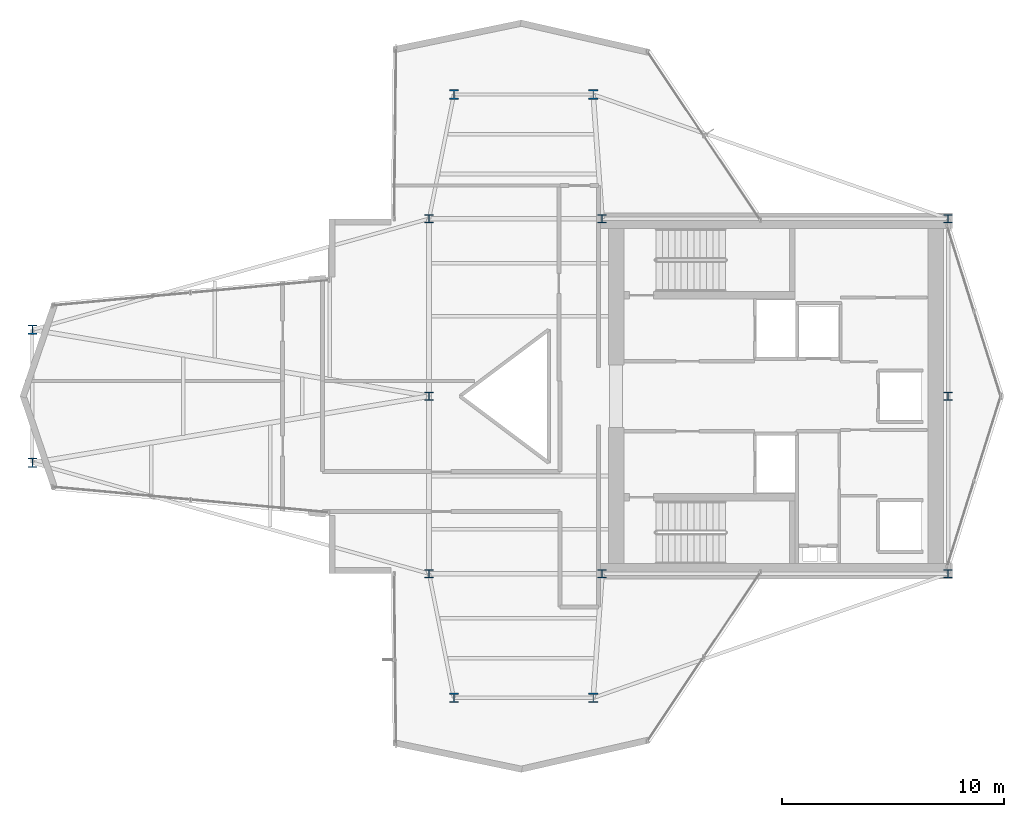
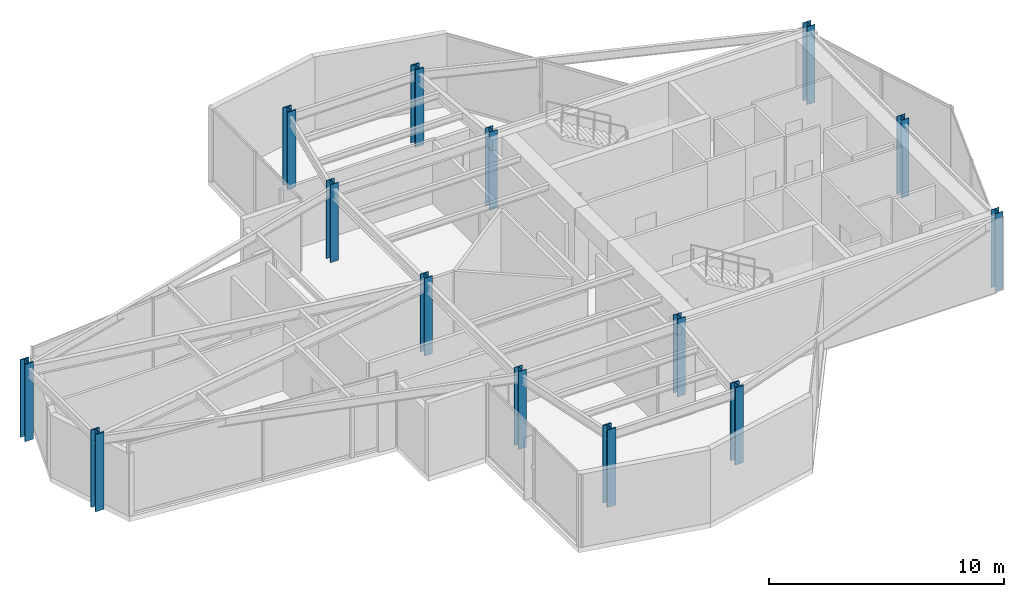
# One storey, part 1 of 22: 14 columns.
"""IFC4 building model written with IfcOpenShell, lengths in metres."""

from ifc_helpers import new_model, si_unit, direction, frame, origin, origin_2d, place, context, subcontext, project, spatial, i_section, extrude, material, material_profile, profile_set, type_object, element, save


model = new_model("IFC4")

# Units and contexts
model_context = context("Model", 3, precision=1e-05, world=origin(), true_north=direction((0.0, 1.0)))
body_context = subcontext(model_context, "Body", "Model", "MODEL_VIEW")
ifc_project = project(units=[si_unit("LENGTHUNIT", "METRE"), si_unit("AREAUNIT", "SQUARE_METRE"), si_unit("VOLUMEUNIT", "CUBIC_METRE"), si_unit("PLANEANGLEUNIT", "RADIAN"), si_unit("MASSUNIT", "GRAM", prefix="KILO")], contexts=[model_context])

# Site, building, storey
site_placement = place(None, origin())
site = spatial("IfcSite", under=ifc_project, at=site_placement, CompositionType="ELEMENT")
building_placement = place(site_placement, origin())
building = spatial("IfcBuilding", under=site, at=building_placement, Name="Veymaron Broadcast Tower", CompositionType="ELEMENT")
storey_placement = place(building_placement, frame((0.0, 0.0, 208.050048828125)))
storey = spatial("IfcBuildingStorey", under=building, at=storey_placement, Name="L48", CompositionType="ELEMENT", Elevation=208.050048828125)

# Columns
ifc_material_1 = material(Name="Structural steel ASTM A992 Gr 50", Category="steel")
ifc_material_profile_1 = material_profile(ifc_material_1, i_section(OverallWidth=0.39404296875, OverallDepth=0.375, WebThickness=0.017333984375, FlangeThickness=0.027587890625, at=origin_2d()), Name="W360X216")
ifc_profile_set_1 = profile_set([ifc_material_profile_1], Name="Structural steel ASTM A992 Gr 50")
column_type_1 = type_object("IfcColumnType", Name="COL-HC3", PredefinedType="COLUMN", material=ifc_profile_set_1)
for number, where, z_axis, x_axis, name in (
    (1, (31.199951171875, 16.0, 0.0), (0.0, 0.0, 1.0), (1.0, 0.0, 0.0), "L48 structural hub and core column"),
    (2, (31.199951171875, 24.0, 0.0), (0.0, 0.0, 1.0), (1.0, 0.0, 0.0), "L48 structural hub and core column"),
    (3, (31.199951171875, 32.0, 0.0), (0.0, 0.0, 1.0), (1.0, 0.0, 0.0), "L48 structural hub and core column"),
    (4, (39.0, 16.0, 0.0), (0.0, 0.0, 1.0), (1.0, 0.0, 0.0), "L48 structural hub and core column"),
    (5, (39.0, 32.0, 0.0), (0.0, 0.0, 1.0), (1.0, 0.0, 0.0), "L48 structural hub and core column"),
    (6, (54.60009765625, 16.0, 0.0), (0.0, 0.0, 1.0), (1.0, 0.0, 0.0), "L48 structural hub and core column"),
    (7, (54.60009765625, 24.0, 0.0), (0.0, 0.0, 1.0), (1.0, 0.0, 0.0), "L48 structural hub and core column"),
    (8, (54.60009765625, 32.0, 0.0), (0.0, 0.0, 1.0), (1.0, 0.0, 0.0), "L48 structural hub and core column"),
):
    element("IfcColumn", number, at=place(storey_placement, frame(where, z_axis=z_axis, x_axis=x_axis)), inside=storey, type_object=column_type_1, Name=name, PredefinedType="COLUMN", context=body_context, shape_type="SweptSolid", body=[
        extrude(i_section(OverallWidth=0.39404296875, OverallDepth=0.375, WebThickness=0.017333984375, FlangeThickness=0.027587890625, at=origin_2d()), origin(), (0.0, 0.0, 1.0), 4.0439453125),
    ])
ifc_material_2 = material(Name="Structural steel ASTM A913 Gr 65", Category="steel")
ifc_material_profile_2 = material_profile(ifc_material_2, i_section(OverallWidth=0.412109375, OverallDepth=0.43505859375, WebThickness=0.035888671875, FlangeThickness=0.05810546875, at=origin_2d()), Name="W360X463")
ifc_profile_set_2 = profile_set([ifc_material_profile_2], Name="Structural steel ASTM A913 Gr 65")
column_type_2 = type_object("IfcColumnType", Name="COL-MC3", PredefinedType="COLUMN", material=ifc_profile_set_2)
for number, where, z_axis, x_axis, name in (
    (9, (13.320068359375, 21.0, 0.015869140625), (0.0, 0.0, 1.0), (1.0, 0.0, 0.0), "L48 Tapered Wing Mega Column"),
    (10, (13.320068359375, 27.0, 0.015869140625), (0.0, 0.0, 1.0), (1.0, 0.0, 0.0), "L48 Tapered Wing Mega Column"),
    (11, (32.320068359375, 37.60009765625, 0.015869140625), (0.0, 0.0, 1.0), (1.0, 0.0, 0.0), "L48 Tapered Wing Mega Column"),
    (12, (38.60009765625, 37.60009765625, 0.015869140625), (0.0, 0.0, 1.0), (1.0, 0.0, 0.0), "L48 Tapered Wing Mega Column"),
    (13, (32.320068359375, 10.39990234375, 0.015869140625), (0.0, 0.0, 1.0), (1.0, 0.0, 0.0), "L48 Tapered Wing Mega Column"),
    (14, (38.60009765625, 10.39990234375, 0.015869140625), (0.0, 0.0, 1.0), (1.0, 0.0, 0.0), "L48 Tapered Wing Mega Column"),
):
    element("IfcColumn", number, at=place(storey_placement, frame(where, z_axis=z_axis, x_axis=x_axis)), inside=storey, type_object=column_type_2, Name=name, PredefinedType="COLUMN", context=body_context, shape_type="SweptSolid", body=[
        extrude(i_section(OverallWidth=0.412109375, OverallDepth=0.43505859375, WebThickness=0.035888671875, FlangeThickness=0.05810546875, at=origin_2d()), origin(), (0.0, 0.0, 1.0), 4.01806640625),
    ])

save(model, "model.ifc")
